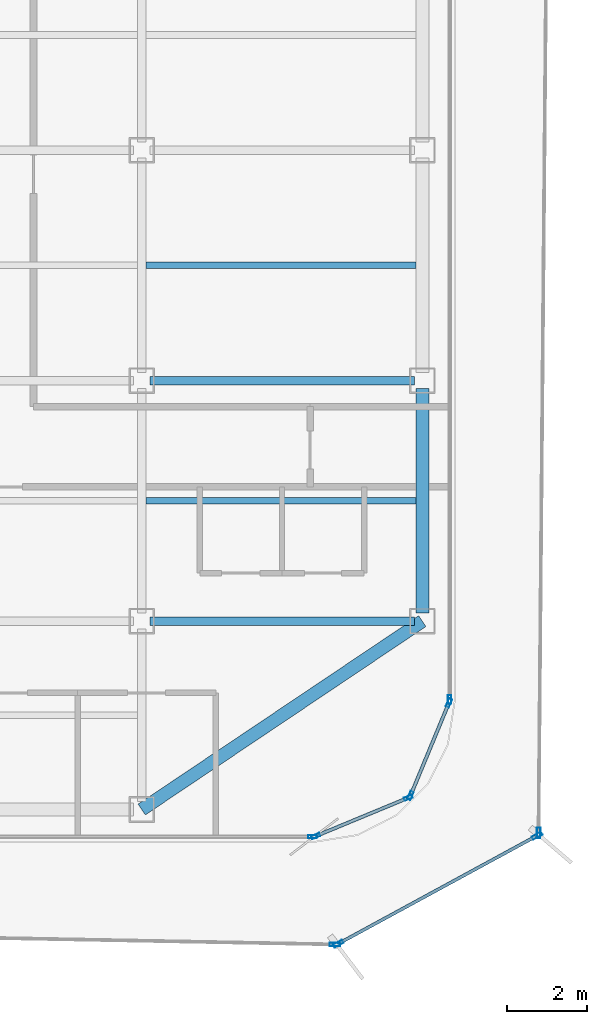
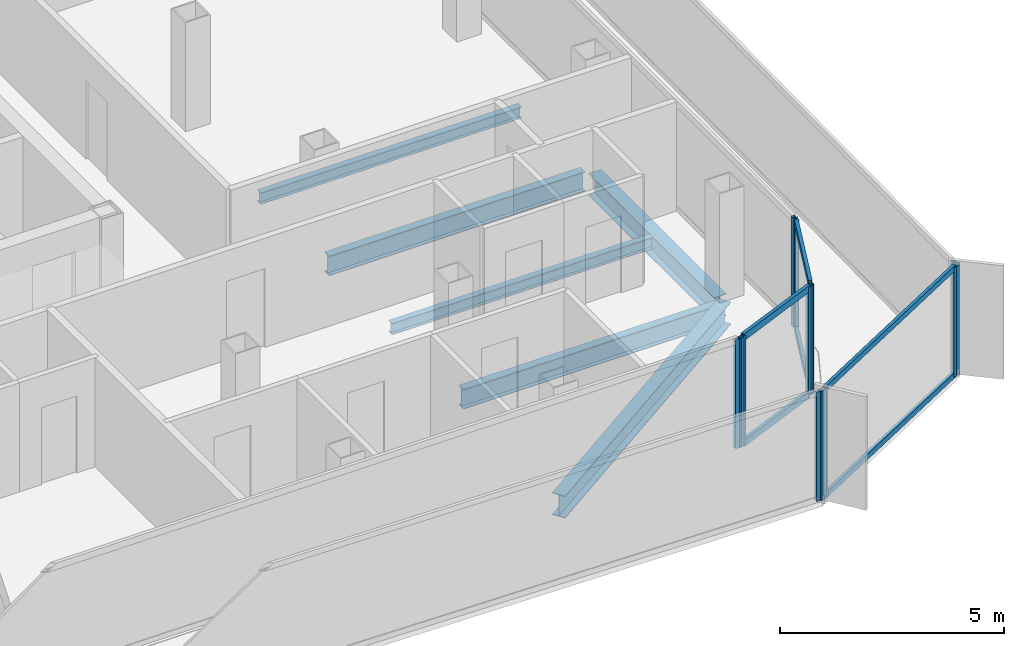
# One storey, part 4 of 15: 16 members, 6 beams, 7 elements without a shape of their own.
"""IFC4 building model written with IfcOpenShell, lengths in metres."""

from ifc_helpers import new_model, si_unit, direction, frame, origin, origin_2d, place, context, subcontext, project, spatial, hollow_rectangle, i_section, extrude, source, transform, mapped, material, layer, layer_set, material_profile, profile_set, type_object, element, aggregate, save


model = new_model("IFC4")

# Units and contexts
model_context = context("Model", 3, precision=1e-05, world=origin(), true_north=direction((0.0, 1.0)))
body_context = subcontext(model_context, "Body", "Model", "MODEL_VIEW")
ifc_project = project(units=[si_unit("LENGTHUNIT", "METRE"), si_unit("AREAUNIT", "SQUARE_METRE"), si_unit("VOLUMEUNIT", "CUBIC_METRE"), si_unit("PLANEANGLEUNIT", "RADIAN"), si_unit("MASSUNIT", "GRAM", prefix="KILO")], contexts=[model_context])

# Site, building, storey
site_placement = place(None, origin())
site = spatial("IfcSite", under=ifc_project, at=site_placement, CompositionType="ELEMENT")
building_placement = place(site_placement, origin())
building = spatial("IfcBuilding", under=site, at=building_placement, Name="Kolveth Station Tower", CompositionType="ELEMENT")
storey_placement = place(building_placement, frame((0.0, 0.0, 261.699951171875)))
storey = spatial("IfcBuildingStorey", under=building, at=storey_placement, Name="L75", CompositionType="ELEMENT", Elevation=261.699951171875)

# Beams
ifc_material_1 = material(Name="Steel S355", Category="steel")
ifc_material_profile_1 = material_profile(ifc_material_1, i_section(OverallWidth=0.323974609375, OverallDepth=0.611083984375, WebThickness=0.0126953125, FlangeThickness=0.01904296875, at=origin_2d()), Name="W610x155")
ifc_profile_set_1 = profile_set([ifc_material_profile_1], Name="Steel S355")
beam_type_1 = type_object("IfcBeamType", Name="Beam_SP2", PredefinedType="SPANDREL", material=ifc_profile_set_1)
shared_shape_1 = source(origin(), body_context, "Body", "SweptSolid", [
    extrude(i_section(OverallWidth=0.323974609375, OverallDepth=0.611083984375, WebThickness=0.0126953125, FlangeThickness=0.01904296875, at=origin_2d()), origin(), (0.0, 0.0, 1.0), 8.431396484375),
])
beam_1_placement = place(storey_placement, frame((34.0, 0.800048828125, -0.525390625), z_axis=(0.830223811004, 0.557430196206, 0.0), x_axis=(-0.557430196206, 0.830223811004, 0.0)))
element("IfcBeam", 1, at=beam_1_placement, inside=storey, type_object=beam_type_1, Name="L75 Corner Edge Girder BM-L75-CNR-SE", PredefinedType="SPANDREL", context=body_context, shape_type="MappedRepresentation", body=[
    mapped(shared_shape_1, transform((0.0, 0.0, 0.0), x_axis=(1.0, 0.0, 0.0), y_axis=(0.0, 1.0, 0.0), z_axis=(0.0, 0.0, 1.0), scale=1.0)),
])
shared_shape_2 = source(origin(), body_context, "Body", "SweptSolid", [
    extrude(i_section(OverallWidth=0.323974609375, OverallDepth=0.611083984375, WebThickness=0.0126953125, FlangeThickness=0.01904296875, at=origin_2d()), origin(), (0.0, 0.0, 1.0), 5.60009765625),
])
beam_2_placement = place(storey_placement, frame((41.0, 5.699951171875, -0.525390625), z_axis=(0.0, 1.0, 0.0), x_axis=(-1.0, 0.0, 0.0)))
element("IfcBeam", 2, at=beam_2_placement, inside=storey, type_object=beam_type_1, Name="L75 Perimeter Spandrel BM-L75-PE-1", PredefinedType="SPANDREL", context=body_context, shape_type="MappedRepresentation", body=[
    mapped(shared_shape_2, transform((0.0, 0.0, 0.0), x_axis=(1.0, 0.0, 0.0), y_axis=(0.0, 1.0, 0.0), z_axis=(0.0, 0.0, 1.0), scale=1.0)),
])
ifc_material_profile_2 = material_profile(ifc_material_1, i_section(OverallWidth=0.2099609375, OverallDepth=0.537109375, WebThickness=0.010986328125, FlangeThickness=0.017333984375, at=origin_2d()), Name="W530x101")
ifc_profile_set_2 = profile_set([ifc_material_profile_2], Name="Steel S355")
beam_type_2 = type_object("IfcBeamType", Name="Beam_B6", PredefinedType="BEAM", material=ifc_profile_set_2)
shared_shape_3 = source(origin(), body_context, "Body", "SweptSolid", [
    extrude(i_section(OverallWidth=0.2099609375, OverallDepth=0.537109375, WebThickness=0.010986328125, FlangeThickness=0.017333984375, at=origin_2d()), origin(), (0.0, 0.0, 1.0), 6.60009765625),
])
for number, where, z_axis, x_axis, name in (
    (3, (34.199951171875, 5.5, -0.488525390625), (1.0, 0.0, 0.0), (0.0, 1.0, 0.0), "L75 Primary Girder BM-L75-GY55-5"),
    (4, (34.199951171875, 11.5, -0.488525390625), (1.0, 0.0, 0.0), (0.0, 1.0, 0.0), "L75 Primary Girder BM-L75-GY115-5"),
):
    element("IfcBeam", number, at=place(storey_placement, frame(where, z_axis=z_axis, x_axis=x_axis)), inside=storey, type_object=beam_type_2, Name=name, PredefinedType="BEAM", context=body_context, shape_type="MappedRepresentation", body=[
        mapped(shared_shape_3, transform((0.0, 0.0, 0.0), x_axis=(1.0, 0.0, 0.0), y_axis=(0.0, 1.0, 0.0), z_axis=(0.0, 0.0, 1.0), scale=1.0)),
    ])
ifc_material_profile_3 = material_profile(ifc_material_1, i_section(OverallWidth=0.1650390625, OverallDepth=0.31005859375, WebThickness=0.005859375, FlangeThickness=0.009765625, at=origin_2d()), Name="W310x39")
ifc_profile_set_3 = profile_set([ifc_material_profile_3], Name="Steel S355")
beam_type_3 = type_object("IfcBeamType", Name="Beam_J3", PredefinedType="JOIST", material=ifc_profile_set_3)
shared_shape_4 = source(origin(), body_context, "Body", "SweptSolid", [
    extrude(i_section(OverallWidth=0.1650390625, OverallDepth=0.31005859375, WebThickness=0.005859375, FlangeThickness=0.009765625, at=origin_2d()), origin(), (0.0, 0.0, 1.0), 6.737060546875),
])
for number, where, z_axis, x_axis, name in (
    (5, (34.10302734375, 8.5, -0.375), (1.0, 0.0, 0.0), (0.0, 1.0, 0.0), "L75 Secondary Joist JST-L75-5-2"),
    (6, (34.10302734375, 14.375, -0.375), (1.0, 0.0, 0.0), (0.0, 1.0, 0.0), "L75 Secondary Joist JST-L75-5-3"),
):
    element("IfcBeam", number, at=place(storey_placement, frame(where, z_axis=z_axis, x_axis=x_axis)), inside=storey, type_object=beam_type_3, Name=name, PredefinedType="JOIST", context=body_context, shape_type="MappedRepresentation", body=[
        mapped(shared_shape_4, transform((0.0, 0.0, 0.0), x_axis=(1.0, 0.0, 0.0), y_axis=(0.0, 1.0, 0.0), z_axis=(0.0, 0.0, 1.0), scale=1.0)),
    ])

# Curtain wall, members
ifc_material_2 = material(Name="Black anodized aluminium 6063-T6 and dark solar glass", Category="aluminium")
ifc_layer_1 = layer(ifc_material_2, 0.159912109375)
ifc_layer_set_1 = layer_set([ifc_layer_1], Name="Black anodized aluminium 6063-T6 and dark solar glass")
curtain_wall_type_1 = type_object("IfcCurtainWallType", Name="OUTER SKIN CW-OS", PredefinedType="NOTDEFINED", material=ifc_layer_set_1)
curtain_wall_1_placement = place(storey_placement, origin())
curtain_wall_1 = element("IfcCurtainWall", 7, at=curtain_wall_1_placement, inside=storey, type_object=curtain_wall_type_1, Name="L75 Outer Ventilated Skin Curtain Wall 1", PredefinedType="NOTDEFINED")
ifc_material_3 = material(Name="Black anodized aluminium 6063-T6", Category="aluminium")
ifc_material_profile_4 = material_profile(ifc_material_3, hollow_rectangle(XDim=0.090087890625, YDim=0.260009765625, WallThickness=0.0048828125, at=origin_2d()), Name="ALU-90x260x5")
ifc_profile_set_4 = profile_set([ifc_material_profile_4], Name="Black anodized aluminium 6063-T6")
member_type_1 = type_object("IfcMemberType", Name="FIN MULLION ML-OS", PredefinedType="MULLION", material=ifc_profile_set_4)
shared_shape_5 = source(origin(), body_context, "Body", "SweptSolid", [
    extrude(hollow_rectangle(XDim=0.090087890625, YDim=0.260009765625, WallThickness=0.0048828125, at=origin_2d()), origin(), (0.0, 0.0, 1.0), 2.989990234375),
])
member_1_placement = place(storey_placement, frame((38.90283203125, -2.548583984375, 0.0), z_axis=(0.0, 0.0, 1.0), x_axis=(-0.477605770201, 0.878574258825, 0.0)))
member_1 = element("IfcMember", 8, at=member_1_placement, type_object=member_type_1, Name="CW-OS mullion 1", PredefinedType="MULLION", context=body_context, shape_type="MappedRepresentation", body=[
    mapped(shared_shape_5, transform((0.0, 0.0, 0.0), x_axis=(1.0, 0.0, 0.0), y_axis=(0.0, 1.0, 0.0), z_axis=(0.0, 0.0, 1.0), scale=1.0)),
])
member_2_placement = place(storey_placement, frame((43.863525390625, 0.148193359375, 0.0), z_axis=(0.0, 0.0, 1.0), x_axis=(-0.477605770201, 0.878574258825, 0.0)))
member_2 = element("IfcMember", 9, at=member_2_placement, type_object=member_type_1, Name="CW-OS mullion 2", PredefinedType="MULLION", context=body_context, shape_type="MappedRepresentation", body=[
    mapped(shared_shape_5, transform((0.0, 0.0, 0.0), x_axis=(1.0, 0.0, 0.0), y_axis=(0.0, 1.0, 0.0), z_axis=(0.0, 0.0, 1.0), scale=1.0)),
])

# Curtain wall, member
curtain_wall_2_placement = place(storey_placement, origin())
curtain_wall_2 = element("IfcCurtainWall", 10, at=curtain_wall_2_placement, inside=storey, type_object=curtain_wall_type_1, Name="L75 Outer Ventilated Skin Curtain Wall 2", PredefinedType="NOTDEFINED")
member_3_placement = place(storey_placement, frame((43.9033203125, 0.214599609375, 0.0), z_axis=(0.0, 0.0, 1.0), x_axis=(-0.999961467329, 0.008778602226, 0.0)))
member_3 = element("IfcMember", 11, at=member_3_placement, type_object=member_type_1, Name="CW-OS mullion 1", PredefinedType="MULLION", context=body_context, shape_type="MappedRepresentation", body=[
    mapped(shared_shape_5, transform((0.0, 0.0, 0.0), x_axis=(1.0, 0.0, 0.0), y_axis=(0.0, 1.0, 0.0), z_axis=(0.0, 0.0, 1.0), scale=1.0)),
])
aggregate(curtain_wall_2, [member_3])

curtain_wall_3_placement = place(storey_placement, origin())
curtain_wall_3 = element("IfcCurtainWall", 12, at=curtain_wall_3_placement, inside=storey, type_object=curtain_wall_type_1, Name="L75 Outer Ventilated Skin Curtain Wall 8", PredefinedType="NOTDEFINED")
member_4_placement = place(storey_placement, frame((38.818359375, -2.569091796875, 0.0), z_axis=(0.0, 0.0, 1.0), x_axis=(0.018918233946, 0.999821034198, 0.0)))
member_4 = element("IfcMember", 13, at=member_4_placement, type_object=member_type_1, Name="CW-OS mullion 2", PredefinedType="MULLION", context=body_context, shape_type="MappedRepresentation", body=[
    mapped(shared_shape_5, transform((0.0, 0.0, 0.0), x_axis=(1.0, 0.0, 0.0), y_axis=(0.0, 1.0, 0.0), z_axis=(0.0, 0.0, 1.0), scale=1.0)),
])
aggregate(curtain_wall_3, [member_4])

# Curtain wall, members
ifc_material_4 = material(Name="Aluminium 6063-T6 and triple low-E dark glass", Category="aluminium")
ifc_layer_2 = layer(ifc_material_4, 0.199951171875)
ifc_layer_set_2 = layer_set([ifc_layer_2], Name="Aluminium 6063-T6 and triple low-E dark glass")
curtain_wall_type_2 = type_object("IfcCurtainWallType", Name="CurtainWall_CW-Z3", PredefinedType="NOTDEFINED", material=ifc_layer_set_2)
curtain_wall_4_placement = place(storey_placement, origin())
curtain_wall_4 = element("IfcCurtainWall", 14, at=curtain_wall_4_placement, inside=storey, type_object=curtain_wall_type_2, Name="L75 Inner Thermal Curtain Wall 1", PredefinedType="NOTDEFINED")
ifc_material_profile_5 = material_profile(ifc_material_3, hollow_rectangle(XDim=0.0849609375, YDim=0.215087890625, WallThickness=0.0048828125, at=origin_2d()), Name="ALU-85x215x5")
ifc_profile_set_5 = profile_set([ifc_material_profile_5], Name="Black anodized aluminium 6063-T6")
member_type_2 = type_object("IfcMemberType", Name="Mullion_ML3", PredefinedType="MULLION", material=ifc_profile_set_5)
shared_shape_6 = source(origin(), body_context, "Body", "SweptSolid", [
    extrude(hollow_rectangle(XDim=0.0849609375, YDim=0.215087890625, WallThickness=0.0048828125, at=origin_2d()), origin(), (0.0, 0.0, 1.0), 2.97998046875),
])
member_5_placement = place(storey_placement, frame((38.33935546875, 0.13623046875, 0.0), z_axis=(0.0, 0.0, 1.0), x_axis=(-0.382693194181, 0.923875488975, 0.0)))
member_5 = element("IfcMember", 15, at=member_5_placement, type_object=member_type_2, Name="CW-Z3 mullion 1", PredefinedType="MULLION", context=body_context, shape_type="MappedRepresentation", body=[
    mapped(shared_shape_6, transform((0.0, 0.0, 0.0), x_axis=(1.0, 0.0, 0.0), y_axis=(0.0, 1.0, 0.0), z_axis=(0.0, 0.0, 1.0), scale=1.0)),
])
member_6_placement = place(storey_placement, frame((40.650634765625, 1.09375, 0.0), z_axis=(0.0, 0.0, 1.0), x_axis=(-0.382693194181, 0.923875488975, 0.0)))
member_6 = element("IfcMember", 16, at=member_6_placement, type_object=member_type_2, Name="CW-Z3 mullion 2", PredefinedType="MULLION", context=body_context, shape_type="MappedRepresentation", body=[
    mapped(shared_shape_6, transform((0.0, 0.0, 0.0), x_axis=(1.0, 0.0, 0.0), y_axis=(0.0, 1.0, 0.0), z_axis=(0.0, 0.0, 1.0), scale=1.0)),
])

curtain_wall_5_placement = place(storey_placement, origin())
curtain_wall_5 = element("IfcCurtainWall", 17, at=curtain_wall_5_placement, inside=storey, type_object=curtain_wall_type_2, Name="L75 Inner Thermal Curtain Wall 2", PredefinedType="NOTDEFINED")
member_7_placement = place(storey_placement, frame((40.706298828125, 1.149169921875, 0.0), z_axis=(0.0, 0.0, 1.0), x_axis=(-0.923875488975, 0.382693194181, 0.0)))
member_7 = element("IfcMember", 18, at=member_7_placement, type_object=member_type_2, Name="CW-Z3 mullion 1", PredefinedType="MULLION", context=body_context, shape_type="MappedRepresentation", body=[
    mapped(shared_shape_6, transform((0.0, 0.0, 0.0), x_axis=(1.0, 0.0, 0.0), y_axis=(0.0, 1.0, 0.0), z_axis=(0.0, 0.0, 1.0), scale=1.0)),
])
member_8_placement = place(storey_placement, frame((41.663818359375, 3.460693359375, 0.0), z_axis=(0.0, 0.0, 1.0), x_axis=(-0.923875488975, 0.382693194181, 0.0)))
member_8 = element("IfcMember", 19, at=member_8_placement, type_object=member_type_2, Name="CW-Z3 mullion 2", PredefinedType="MULLION", context=body_context, shape_type="MappedRepresentation", body=[
    mapped(shared_shape_6, transform((0.0, 0.0, 0.0), x_axis=(1.0, 0.0, 0.0), y_axis=(0.0, 1.0, 0.0), z_axis=(0.0, 0.0, 1.0), scale=1.0)),
])

# Curtain wall, member
curtain_wall_6_placement = place(storey_placement, origin())
curtain_wall_6 = element("IfcCurtainWall", 20, at=curtain_wall_6_placement, inside=storey, type_object=curtain_wall_type_2, Name="L75 Inner Thermal Curtain Wall 3", PredefinedType="NOTDEFINED")
member_9_placement = place(storey_placement, frame((41.679931640625, 3.54248046875, 0.0), z_axis=(0.0, 0.0, 1.0), x_axis=(-1.0, 0.0, 0.0)))
member_9 = element("IfcMember", 21, at=member_9_placement, type_object=member_type_2, Name="CW-Z3 mullion 1", PredefinedType="MULLION", context=body_context, shape_type="MappedRepresentation", body=[
    mapped(shared_shape_6, transform((0.0, 0.0, 0.0), x_axis=(1.0, 0.0, 0.0), y_axis=(0.0, 1.0, 0.0), z_axis=(0.0, 0.0, 1.0), scale=1.0)),
])
aggregate(curtain_wall_6, [member_9])

curtain_wall_7_placement = place(storey_placement, origin())
curtain_wall_7 = element("IfcCurtainWall", 22, at=curtain_wall_7_placement, inside=storey, type_object=curtain_wall_type_2, Name="L75 Inner Thermal Curtain Wall 12", PredefinedType="NOTDEFINED")
member_10_placement = place(storey_placement, frame((38.257568359375, 0.1201171875, 0.0), z_axis=(0.0, 0.0, 1.0), x_axis=(0.0, 1.0, 0.0)))
member_10 = element("IfcMember", 23, at=member_10_placement, type_object=member_type_2, Name="CW-Z3 mullion 2", PredefinedType="MULLION", context=body_context, shape_type="MappedRepresentation", body=[
    mapped(shared_shape_6, transform((0.0, 0.0, 0.0), x_axis=(1.0, 0.0, 0.0), y_axis=(0.0, 1.0, 0.0), z_axis=(0.0, 0.0, 1.0), scale=1.0)),
])
aggregate(curtain_wall_7, [member_10])

# Member
ifc_material_profile_6 = material_profile(ifc_material_3, hollow_rectangle(XDim=0.0849609375, YDim=0.179931640625, WallThickness=0.0048828125, at=origin_2d()), Name="ALU-85x180x5")
ifc_profile_set_6 = profile_set([ifc_material_profile_6], Name="Black anodized aluminium 6063-T6")
member_type_3 = type_object("IfcMemberType", Name="Transom_TR3", PredefinedType="USERDEFINED", material=ifc_profile_set_6)
shared_shape_7 = source(origin(), body_context, "Body", "SweptSolid", [
    extrude(hollow_rectangle(XDim=0.0849609375, YDim=0.179931640625, WallThickness=0.0048828125, at=origin_2d()), origin(), (0.0, 0.0, 1.0), 2.4169921875),
])
member_11_placement = place(storey_placement, frame((38.37841796875, 0.152587890625, 0.04248046875), z_axis=(0.923908507952, 0.382613471971, 0.0), x_axis=(-0.382613471971, 0.923908507952, 0.0)))
member_11 = element("IfcMember", 24, at=member_11_placement, type_object=member_type_3, Name="CW-Z3 transom 1.1", ObjectType="TRANSOM", PredefinedType="USERDEFINED", context=body_context, shape_type="MappedRepresentation", body=[
    mapped(shared_shape_7, transform((0.0, 0.0, 0.0), x_axis=(1.0, 0.0, 0.0), y_axis=(0.0, 1.0, 0.0), z_axis=(0.0, 0.0, 1.0), scale=1.0)),
])

member_12_placement = place(storey_placement, frame((38.37841796875, 0.152587890625, 2.9375), z_axis=(0.923908507952, 0.382613471971, 0.0), x_axis=(-0.382613471971, 0.923908507952, 0.0)))
member_12 = element("IfcMember", 25, at=member_12_placement, type_object=member_type_3, Name="CW-Z3 transom 1.2", ObjectType="TRANSOM", PredefinedType="USERDEFINED", context=body_context, shape_type="MappedRepresentation", body=[
    mapped(shared_shape_7, transform((0.0, 0.0, 0.0), x_axis=(1.0, 0.0, 0.0), y_axis=(0.0, 1.0, 0.0), z_axis=(0.0, 0.0, 1.0), scale=1.0)),
])

aggregate(curtain_wall_4, [member_5, member_6, member_11, member_12])

member_13_placement = place(storey_placement, frame((40.722412109375, 1.1884765625, 0.04248046875), z_axis=(0.382735401206, 0.9238580046, 0.0), x_axis=(-0.9238580046, 0.382735401206, 0.0)))
member_13 = element("IfcMember", 26, at=member_13_placement, type_object=member_type_3, Name="CW-Z3 transom 1.1", ObjectType="TRANSOM", PredefinedType="USERDEFINED", context=body_context, shape_type="MappedRepresentation", body=[
    mapped(shared_shape_7, transform((0.0, 0.0, 0.0), x_axis=(1.0, 0.0, 0.0), y_axis=(0.0, 1.0, 0.0), z_axis=(0.0, 0.0, 1.0), scale=1.0)),
])

member_14_placement = place(storey_placement, frame((40.722412109375, 1.1884765625, 2.9375), z_axis=(0.382735401206, 0.9238580046, 0.0), x_axis=(-0.9238580046, 0.382735401206, 0.0)))
member_14 = element("IfcMember", 27, at=member_14_placement, type_object=member_type_3, Name="CW-Z3 transom 1.2", ObjectType="TRANSOM", PredefinedType="USERDEFINED", context=body_context, shape_type="MappedRepresentation", body=[
    mapped(shared_shape_7, transform((0.0, 0.0, 0.0), x_axis=(1.0, 0.0, 0.0), y_axis=(0.0, 1.0, 0.0), z_axis=(0.0, 0.0, 1.0), scale=1.0)),
])

aggregate(curtain_wall_5, [member_7, member_8, member_13, member_14])

ifc_material_profile_7 = material_profile(ifc_material_3, hollow_rectangle(XDim=0.080078125, YDim=0.14990234375, WallThickness=0.0048828125, at=origin_2d()), Name="ALU-80x150x5")
ifc_profile_set_7 = profile_set([ifc_material_profile_7], Name="Black anodized aluminium 6063-T6")
member_type_4 = type_object("IfcMemberType", Name="Transom_TR-OS", PredefinedType="USERDEFINED", material=ifc_profile_set_7)
shared_shape_8 = source(origin(), body_context, "Body", "SweptSolid", [
    extrude(hollow_rectangle(XDim=0.080078125, YDim=0.14990234375, WallThickness=0.0048828125, at=origin_2d()), origin(), (0.0, 0.0, 1.0), 5.556396484375),
])
member_15_placement = place(storey_placement, frame((38.9423828125, -2.527099609375, 0.0400390625), z_axis=(0.878566392896, 0.477620239599, 0.0), x_axis=(-0.477620239599, 0.878566392896, 0.0)))
member_15 = element("IfcMember", 28, at=member_15_placement, type_object=member_type_4, Name="CW-OS transom 1.1", ObjectType="TRANSOM", PredefinedType="USERDEFINED", context=body_context, shape_type="MappedRepresentation", body=[
    mapped(shared_shape_8, transform((0.0, 0.0, 0.0), x_axis=(1.0, 0.0, 0.0), y_axis=(0.0, 1.0, 0.0), z_axis=(0.0, 0.0, 1.0), scale=1.0)),
])

member_16_placement = place(storey_placement, frame((38.9423828125, -2.527099609375, 2.949951171875), z_axis=(0.878566392896, 0.477620239599, 0.0), x_axis=(-0.477620239599, 0.878566392896, 0.0)))
member_16 = element("IfcMember", 29, at=member_16_placement, type_object=member_type_4, Name="CW-OS transom 1.2", ObjectType="TRANSOM", PredefinedType="USERDEFINED", context=body_context, shape_type="MappedRepresentation", body=[
    mapped(shared_shape_8, transform((0.0, 0.0, 0.0), x_axis=(1.0, 0.0, 0.0), y_axis=(0.0, 1.0, 0.0), z_axis=(0.0, 0.0, 1.0), scale=1.0)),
])

aggregate(curtain_wall_1, [member_1, member_2, member_15, member_16])

save(model, "model.ifc")
